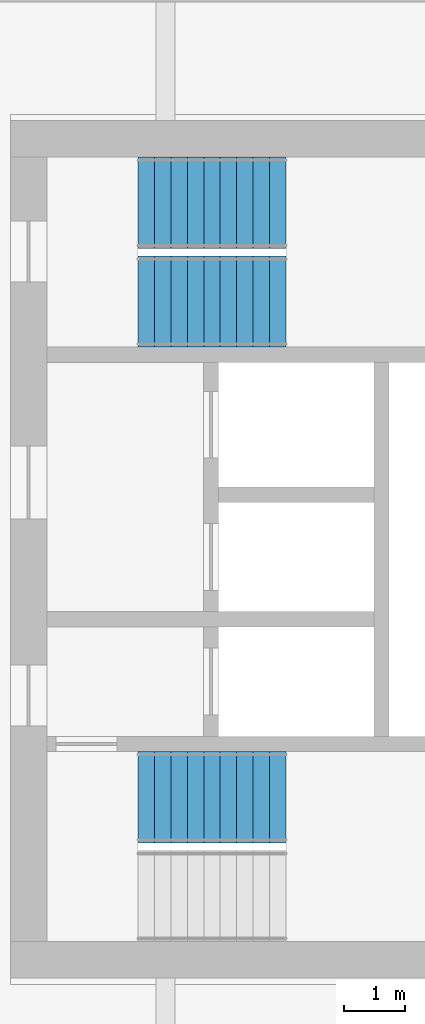
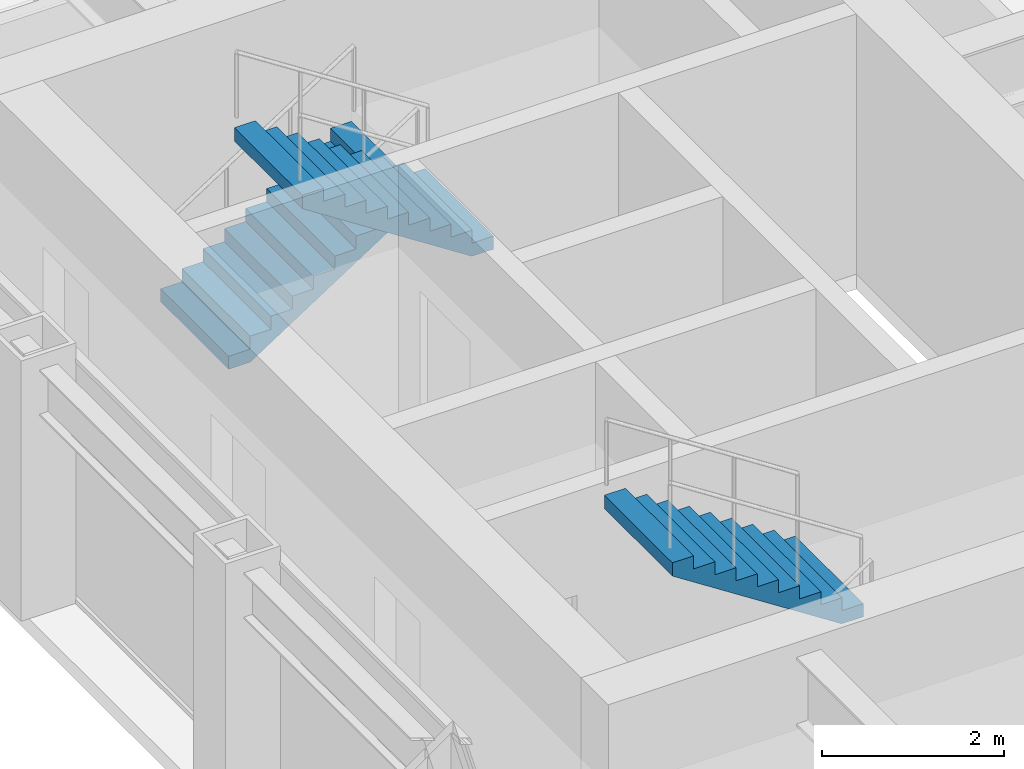
# One storey, part 16 of 21: 3 stair flights, 2 elements without a shape of their own.
"""IFC4 building model written with IfcOpenShell, lengths in metres."""

from ifc_helpers import new_model, si_unit, direction, frame, origin, place, context, subcontext, project, spatial, polyline, outline, extrude, material, type_object, element, aggregate, save


model = new_model("IFC4")

# Units and contexts
model_context = context("Model", 3, precision=1e-05, world=origin(), true_north=direction((0.0, 1.0)))
body_context = subcontext(model_context, "Body", "Model", "MODEL_VIEW")
ifc_project = project(units=[si_unit("LENGTHUNIT", "METRE"), si_unit("AREAUNIT", "SQUARE_METRE"), si_unit("VOLUMEUNIT", "CUBIC_METRE"), si_unit("PLANEANGLEUNIT", "RADIAN"), si_unit("MASSUNIT", "GRAM", prefix="KILO")], contexts=[model_context])

# Site, building, storey
site_placement = place(None, origin())
site = spatial("IfcSite", under=ifc_project, at=site_placement, CompositionType="ELEMENT")
building_placement = place(site_placement, origin())
building = spatial("IfcBuilding", under=site, at=building_placement, Name="Msasa Ring Tower", CompositionType="ELEMENT")
storey_placement = place(building_placement, frame((0.0, 0.0, 54.5)))
storey = spatial("IfcBuildingStorey", under=building, at=storey_placement, Name="L13", CompositionType="ELEMENT", Elevation=54.5)

# Stair, stair flight
ifc_material_1 = material(Name="Concrete C40/50", Category="concrete")
stair_type = type_object("IfcStairType", Name="STC CORE STAIR 20 RISERS 175", PredefinedType="HALF_TURN_STAIR", material=ifc_material_1)
stair_1_placement = place(storey_placement, origin())
stair_1 = element("IfcStair", 1, at=stair_1_placement, inside=storey, type_object=stair_type, Name="Core stair SEA L13", PredefinedType="HALF_TURN_STAIR")
ifc_material_2 = material(Name="Concrete C40/50", Category="concrete")
stair_flight_type = type_object("IfcStairFlightType", Name="ST12 CORE STAIR FLIGHT 1500 10 RISERS 175", PredefinedType="STRAIGHT", material=ifc_material_2)
stair_flight_1_placement = place(storey_placement, frame((13.22998046875, -4.074951171875, 1.75), z_axis=(0.0, 0.0, 1.0), x_axis=(-1.0, 0.0, 0.0)))
stair_flight_1 = element("IfcStairFlight", 2, at=stair_flight_1_placement, type_object=stair_flight_type, Name="SEA flight 2", NumberOfRisers=10, NumberOfTreads=9, PredefinedType="STRAIGHT", RiserHeight=0.175, TreadLength=0.27, context=body_context, shape_type="SweptSolid", body=[
    extrude(outline(polyline([(0.0, 0.0), (0.0, 0.175048828125), (0.27001953125, 0.175048828125), (0.27001953125, 0.35009765625), (0.5400390625, 0.35009765625), (0.5400390625, 0.52490234375), (0.81005859375, 0.52490234375), (0.81005859375, 0.699951171875), (1.080078125, 0.699951171875), (1.080078125, 0.875), (1.35009765625, 0.875), (1.35009765625, 1.050048828125), (1.6201171875, 1.050048828125), (1.6201171875, 1.22509765625), (1.889892578125, 1.22509765625), (1.889892578125, 1.39990234375), (2.159912109375, 1.39990234375), (2.159912109375, 1.574951171875), (2.429931640625, 1.574951171875), (2.429931640625, 1.75), (2.429931640625, 1.396484375), (0.275634765625, 0.0), (0.0, 0.0)])), frame((0.0, 0.75, 0.0), z_axis=(0.0, -1.0, 0.0), x_axis=(1.0, 0.0, 0.0)), (0.0, 0.0, 1.0), 1.5),
])
aggregate(stair_1, [stair_flight_1])

# Stair, stair flights
stair_2_placement = place(storey_placement, origin())
stair_2 = element("IfcStair", 3, at=stair_2_placement, inside=storey, type_object=stair_type, Name="Core stair SEB L13", PredefinedType="HALF_TURN_STAIR")
stair_flight_2_placement = place(storey_placement, frame((10.800048828125, 5.699951171875, 0.0), z_axis=(0.0, 0.0, 1.0), x_axis=(1.0, 0.0, 0.0)))
stair_flight_2 = element("IfcStairFlight", 4, at=stair_flight_2_placement, type_object=stair_flight_type, Name="SEB flight 1", NumberOfRisers=10, NumberOfTreads=9, PredefinedType="STRAIGHT", RiserHeight=0.175, TreadLength=0.27, context=body_context, shape_type="SweptSolid", body=[
    extrude(outline(polyline([(0.0, 0.0), (0.0, 0.175048828125), (0.27001953125, 0.175048828125), (0.27001953125, 0.35009765625), (0.5400390625, 0.35009765625), (0.5400390625, 0.52490234375), (0.81005859375, 0.52490234375), (0.81005859375, 0.699951171875), (1.080078125, 0.699951171875), (1.080078125, 0.875), (1.35009765625, 0.875), (1.35009765625, 1.050048828125), (1.6201171875, 1.050048828125), (1.6201171875, 1.22509765625), (1.889892578125, 1.22509765625), (1.889892578125, 1.39990234375), (2.159912109375, 1.39990234375), (2.159912109375, 1.574951171875), (2.429931640625, 1.574951171875), (2.429931640625, 1.75), (2.429931640625, 1.396484375), (0.275634765625, 0.0), (0.0, 0.0)])), frame((0.0, 0.75, 0.0), z_axis=(0.0, -1.0, 0.0), x_axis=(1.0, 0.0, 0.0)), (0.0, 0.0, 1.0), 1.5),
])
stair_flight_3_placement = place(storey_placement, frame((13.22998046875, 4.074951171875, 1.75), z_axis=(0.0, 0.0, 1.0), x_axis=(-1.0, 0.0, 0.0)))
stair_flight_3 = element("IfcStairFlight", 5, at=stair_flight_3_placement, type_object=stair_flight_type, Name="SEB flight 2", NumberOfRisers=10, NumberOfTreads=9, PredefinedType="STRAIGHT", RiserHeight=0.175, TreadLength=0.27, context=body_context, shape_type="SweptSolid", body=[
    extrude(outline(polyline([(0.0, 0.0), (0.0, 0.175048828125), (0.27001953125, 0.175048828125), (0.27001953125, 0.35009765625), (0.5400390625, 0.35009765625), (0.5400390625, 0.52490234375), (0.81005859375, 0.52490234375), (0.81005859375, 0.699951171875), (1.080078125, 0.699951171875), (1.080078125, 0.875), (1.35009765625, 0.875), (1.35009765625, 1.050048828125), (1.6201171875, 1.050048828125), (1.6201171875, 1.22509765625), (1.889892578125, 1.22509765625), (1.889892578125, 1.39990234375), (2.159912109375, 1.39990234375), (2.159912109375, 1.574951171875), (2.429931640625, 1.574951171875), (2.429931640625, 1.75), (2.429931640625, 1.396484375), (0.275634765625, 0.0), (0.0, 0.0)])), frame((0.0, 0.75, 0.0), z_axis=(0.0, -1.0, 0.0), x_axis=(1.0, 0.0, 0.0)), (0.0, 0.0, 1.0), 1.5),
])
aggregate(stair_2, [stair_flight_2, stair_flight_3])

save(model, "model.ifc")
